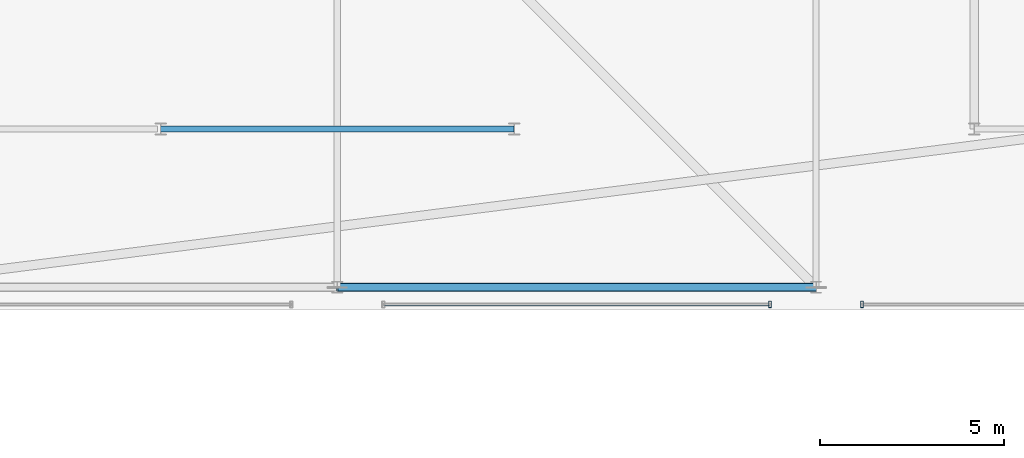
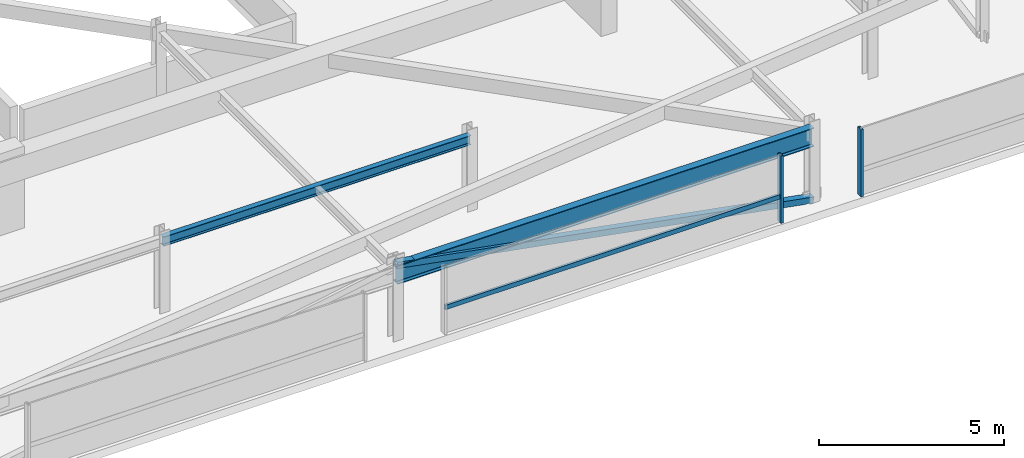
# One storey, part 31 of 44: 4 members, 2 beams, 2 elements without a shape of their own.
"""IFC4 building model written with IfcOpenShell, lengths in metres."""

from ifc_helpers import new_model, si_unit, direction, frame, origin, origin_2d, place, context, subcontext, project, spatial, hollow_rectangle, i_section, extrude, material, material_profile, profile_set, type_object, element, aggregate, save


model = new_model("IFC4")

# Units and contexts
model_context = context("Model", 3, precision=1e-05, world=origin(), true_north=direction((0.0, 1.0)))
body_context = subcontext(model_context, "Body", "Model", "MODEL_VIEW")
ifc_project = project(units=[si_unit("LENGTHUNIT", "METRE"), si_unit("AREAUNIT", "SQUARE_METRE"), si_unit("VOLUMEUNIT", "CUBIC_METRE"), si_unit("PLANEANGLEUNIT", "RADIAN"), si_unit("MASSUNIT", "GRAM", prefix="KILO")], contexts=[model_context])

# Site, building, storey
site_placement = place(None, origin())
site = spatial("IfcSite", under=ifc_project, at=site_placement, CompositionType="ELEMENT")
building_placement = place(site_placement, origin())
building = spatial("IfcBuilding", under=site, at=building_placement, Name="Thornwick Lancets Civic Towers", CompositionType="ELEMENT")
storey_placement = place(building_placement, frame((0.0, 0.0, 292.199951171875)))
storey = spatial("IfcBuildingStorey", under=building, at=storey_placement, Name="C05", CompositionType="ELEMENT", Elevation=292.199951171875)

# Beams
ifc_material_1 = material(Name="Steel S355JR", Category="steel")
ifc_material_profile_1 = material_profile(ifc_material_1, i_section(OverallWidth=0.230224609375, OverallDepth=0.6171875, WebThickness=0.01318359375, FlangeThickness=0.022216796875, FilletRadius=0.0126953125, at=origin_2d()), Name="UKB 610x229x140")
ifc_profile_set_1 = profile_set([ifc_material_profile_1], Name="Steel S355JR")
beam_type_1 = type_object("IfcBeamType", Name="BM_GIRD_610_140", PredefinedType="BEAM", material=ifc_profile_set_1)
beam_1_placement = place(storey_placement, frame((101.5, 9.699951171875, 2.13134765625), z_axis=(-1.0, 0.0, 0.0), x_axis=(0.0, -1.0, 0.0)))
element("IfcBeam", 1, at=beam_1_placement, inside=storey, type_object=beam_type_1, Name="BM-SPINE-C05-B-9-10", PredefinedType="BEAM", context=body_context, shape_type="SweptSolid", body=[
    extrude(i_section(OverallWidth=0.230224609375, OverallDepth=0.6171875, WebThickness=0.01318359375, FlangeThickness=0.022216796875, FilletRadius=0.0126953125, at=origin_2d()), origin(), (0.0, 0.0, 1.0), 13.0),
])
ifc_material_profile_2 = material_profile(ifc_material_1, i_section(OverallWidth=0.1669921875, OverallDepth=0.310302734375, WebThickness=0.0078125, FlangeThickness=0.013671875, FilletRadius=0.0087890625, at=origin_2d()), Name="UKB 305x165x54")
ifc_profile_set_2 = profile_set([ifc_material_profile_2], Name="Steel S355JR")
beam_type_2 = type_object("IfcBeamType", Name="BM_LINTEL_305_54", PredefinedType="LINTEL", material=ifc_profile_set_2)
beam_2_placement = place(storey_placement, frame((93.300048828125, 14.0, 2.284912109375), z_axis=(-1.0, 0.0, 0.0), x_axis=(0.0, -1.0, 0.0)))
element("IfcBeam", 2, at=beam_2_placement, inside=storey, type_object=beam_type_2, Name="BM-INSP-C05-B-0-2", PredefinedType="LINTEL", context=body_context, shape_type="SweptSolid", body=[
    extrude(i_section(OverallWidth=0.1669921875, OverallDepth=0.310302734375, WebThickness=0.0078125, FlangeThickness=0.013671875, FilletRadius=0.0087890625, at=origin_2d()), origin(), (0.0, 0.0, 1.0), 9.60009765625),
])

# Curtain wall, member
ifc_material_2 = material(Name="Crown ring acoustic-louvre and glazing screen wall", Category="glass")
curtain_wall_type = type_object("IfcCurtainWallType", Name="CW_SYS_07", PredefinedType="NOTDEFINED", material=ifc_material_2)
curtain_wall_1_placement = place(storey_placement, origin())
curtain_wall_1 = element("IfcCurtainWall", 3, at=curtain_wall_1_placement, inside=storey, type_object=curtain_wall_type, Name="C05 Curtain Wall CW-C05-B-E0-S2", PredefinedType="NOTDEFINED")
ifc_material_3 = material(Name="Thermally broken bronze aluminium S355", Category="steel")
ifc_material_profile_3 = material_profile(ifc_material_3, hollow_rectangle(XDim=0.074951171875, YDim=0.179931640625, WallThickness=0.006103515625, at=origin_2d()), Name="RHS 180x75x6")
ifc_profile_set_3 = profile_set([ifc_material_profile_3], Name="Thermally broken bronze aluminium S355")
member_type_1 = type_object("IfcMemberType", Name="CW_MUL_180", PredefinedType="MULLION", material=ifc_profile_set_3)
member_1_placement = place(storey_placement, frame((100.25, 9.2353515625, 0.0), z_axis=(0.0, 0.0, 1.0), x_axis=(1.0, 0.0, 0.0)))
member_1 = element("IfcMember", 4, at=member_1_placement, type_object=member_type_1, Name="CW-C05-B-E0-S2 Mullion 1", PredefinedType="MULLION", context=body_context, shape_type="SweptSolid", body=[
    extrude(hollow_rectangle(XDim=0.074951171875, YDim=0.179931640625, WallThickness=0.006103515625, at=origin_2d()), origin(), (0.0, 0.0, 1.0), 2.219970703125),
])

curtain_wall_2_placement = place(storey_placement, origin())
curtain_wall_2 = element("IfcCurtainWall", 5, at=curtain_wall_2_placement, inside=storey, type_object=curtain_wall_type, Name="C05 Curtain Wall CW-C05-B-E0-S3", PredefinedType="NOTDEFINED")
member_2_placement = place(storey_placement, frame((102.75, 9.2353515625, 0.0), z_axis=(0.0, 0.0, 1.0), x_axis=(1.0, 0.0, 0.0)))
member_2 = element("IfcMember", 6, at=member_2_placement, type_object=member_type_1, Name="CW-C05-B-E0-S3 Mullion 0", PredefinedType="MULLION", context=body_context, shape_type="SweptSolid", body=[
    extrude(hollow_rectangle(XDim=0.074951171875, YDim=0.179931640625, WallThickness=0.006103515625, at=origin_2d()), origin(), (0.0, 0.0, 1.0), 2.219970703125),
])
aggregate(curtain_wall_2, [member_2])

# Member
ifc_material_profile_4 = material_profile(ifc_material_3, hollow_rectangle(XDim=0.074951171875, YDim=0.14990234375, WallThickness=0.0048828125, at=origin_2d()), Name="RHS 150x75x5")
ifc_profile_set_4 = profile_set([ifc_material_profile_4], Name="Thermally broken bronze aluminium S355")
member_type_2 = type_object("IfcMemberType", Name="CW_TRN_150", PredefinedType="USERDEFINED", material=ifc_profile_set_4)
member_3_placement = place(storey_placement, frame((89.77001953125, 9.2353515625, 0.85009765625), z_axis=(1.0, 0.0, 0.0), x_axis=(0.0, 1.0, 0.0)))
member_3 = element("IfcMember", 7, at=member_3_placement, type_object=member_type_2, Name="CW-C05-B-E0-S2 Transom 0", ObjectType="TRANSOM", PredefinedType="USERDEFINED", context=body_context, shape_type="SweptSolid", body=[
    extrude(hollow_rectangle(XDim=0.074951171875, YDim=0.14990234375, WallThickness=0.0048828125, at=origin_2d()), origin(), (0.0, 0.0, 1.0), 10.4599609375),
])

aggregate(curtain_wall_1, [member_1, member_3])

ifc_material_profile_5 = material_profile(ifc_material_1, hollow_rectangle(XDim=0.199951171875, YDim=0.199951171875, WallThickness=0.012451171875, at=origin_2d()), Name="SHS 200x200x12.5")
ifc_profile_set_5 = profile_set([ifc_material_profile_5], Name="Steel S355JR")
member_type_3 = type_object("IfcMemberType", Name="MEM_CROWN_SHS200", PredefinedType="BRACE", material=ifc_profile_set_5)
member_4_placement = place(storey_placement, frame((101.5, 9.699951171875, 0.050048828125), z_axis=(-0.98351842104, 0.0, 0.180807951915), x_axis=(0.0, -1.0, 0.0)))
element("IfcMember", 8, at=member_4_placement, inside=storey, type_object=member_type_3, Name="C05 Crown Ring Lancet Rib B-S3-L", PredefinedType="BRACE", context=body_context, shape_type="SweptSolid", body=[
    extrude(hollow_rectangle(XDim=0.199951171875, YDim=0.199951171875, WallThickness=0.012451171875, at=origin_2d()), origin(), (0.0, 0.0, 1.0), 13.2177734375),
])

save(model, "model.ifc")
